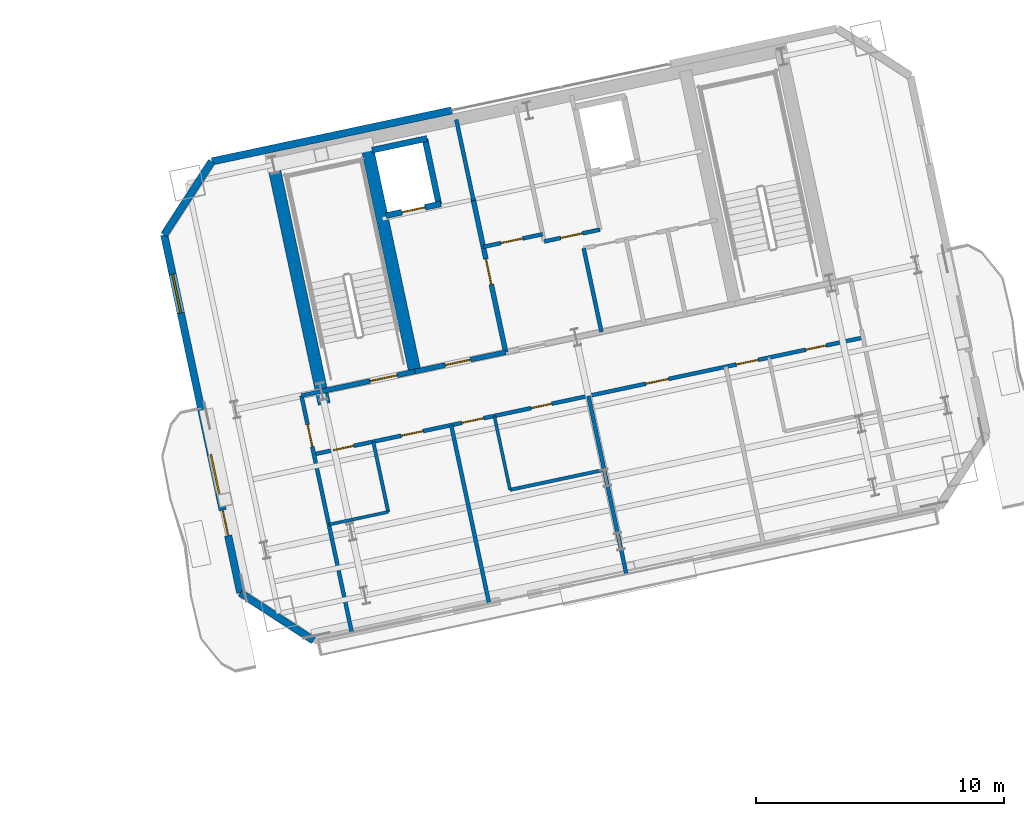
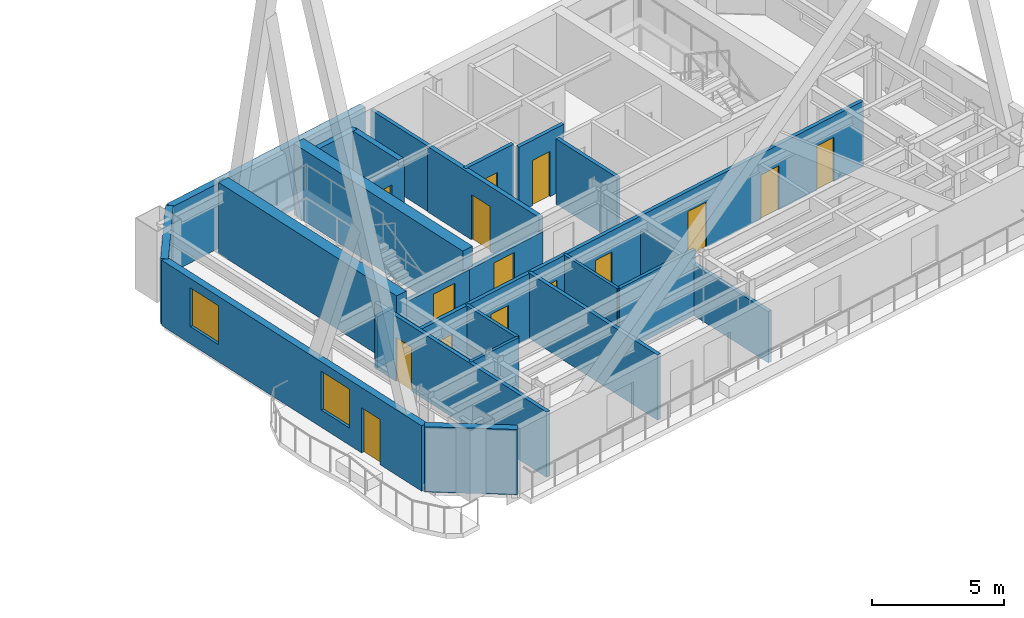
# One storey, part 13 of 20: 25 walls, 15 doors, 2 windows, 17 openings.
"""IFC4 building model written with IfcOpenShell, lengths in metres."""

from ifc_helpers import new_model, si_unit, direction, frame, frame_2d, origin, place, context, subcontext, project, spatial, rectangle, extrude, material, layer, layer_set, type_object, element, fill, save


model = new_model("IFC4")

# Units and contexts
model_context = context("Model", 3, precision=1e-05, world=origin(), true_north=direction((0.0, 1.0)))
body_context = subcontext(model_context, "Body", "Model", "MODEL_VIEW")
ifc_project = project(units=[si_unit("LENGTHUNIT", "METRE"), si_unit("AREAUNIT", "SQUARE_METRE"), si_unit("VOLUMEUNIT", "CUBIC_METRE"), si_unit("PLANEANGLEUNIT", "RADIAN"), si_unit("MASSUNIT", "GRAM", prefix="KILO")], contexts=[model_context])

# Site, building, storey
site_placement = place(None, origin())
site = spatial("IfcSite", under=ifc_project, at=site_placement, CompositionType="ELEMENT")
building_placement = place(site_placement, origin())
building = spatial("IfcBuilding", under=site, at=building_placement, Name="Haevon Station Towers", CompositionType="ELEMENT")
storey_placement = place(building_placement, frame((0.0, 0.0, 175.800048828125)))
storey = spatial("IfcBuildingStorey", under=building, at=storey_placement, Name="L48", CompositionType="ELEMENT", Elevation=175.800048828125)

# Wall, opening, door
ifc_material_1 = material(Name="Gypsum board on steel stud", Category="steel")
ifc_layer_1 = layer(ifc_material_1, 0.199951171875)
ifc_layer_set_1 = layer_set([ifc_layer_1], Name="Gypsum board on steel stud")
wall_type_1 = type_object("IfcWallType", Name="WL-COR200", PredefinedType="PARTITIONING", material=ifc_layer_set_1)
wall_1_placement = place(storey_placement, frame((98.75244140625, 37.4423828125, 0.0), z_axis=(0.0, 0.0, 1.0), x_axis=(0.978143537786, 0.207930804564, 0.0)))
wall_1 = element("IfcWall", 1, at=wall_1_placement, inside=storey, type_object=wall_type_1, Name="WL-ST-ST3-L48", PredefinedType="PARTITIONING", context=body_context, shape_type="SweptSolid", body=[
    extrude(rectangle(XDim=3.85009765625, YDim=0.199951171875, at=frame_2d((1.925048828125, 0.0))), origin(), (0.0, 0.0, 1.0), 2.3798828125),
])
opening_1_placement = place(wall_1_placement, frame((2.0, 0.0, 0.0)))
opening_1 = element("IfcOpeningElement", 2, at=opening_1_placement, cuts=wall_1, Name="Opening DR-ST-ST3-L48", PredefinedType="OPENING", context=body_context, shape_type="SweptSolid", body=[
    extrude(rectangle(XDim=1.1201171875, YDim=2.10009765625, at=frame_2d((0.56005859375, 1.050048828125))), frame((0.0, 0.10986328125, 0.0), z_axis=(0.0, -1.0, 0.0), x_axis=(1.0, 0.0, 0.0)), (0.0, 0.0, 1.0), 0.219970703125),
])
ifc_material_2 = material(Name="Engineered oak timber", Category="wood")
door_type_1 = type_object("IfcDoorType", Name="DR-ST-1120", OperationType="NOTDEFINED", PredefinedType="DOOR", material=ifc_material_2)
door_1_placement = place(opening_1_placement, origin())
door_1 = element("IfcDoor", 3, at=door_1_placement, inside=storey, type_object=door_type_1, Name="L48 Escape Stair ST3 Fire Door", OperationType="SINGLE_SWING_LEFT", OverallHeight=2.10009765625, OverallWidth=1.1201171875, PredefinedType="DOOR", context=body_context, shape_type="SweptSolid", body=[
    extrude(rectangle(XDim=1.1201171875, YDim=2.10009765625, at=frame_2d((0.56005859375, 1.050048828125))), frame((0.0, 0.02490234375, 0.0), z_axis=(0.0, -1.0, 0.0), x_axis=(1.0, 0.0, 0.0)), (0.0, 0.0, 1.0), 0.050048828125),
])
fill(opening_1, door_1)

wall_2_placement = place(storey_placement, frame((106.186279296875, 39.0224609375, 0.0), z_axis=(0.0, 0.0, 1.0), x_axis=(-0.207916691923, 0.978146537703, 0.0)))
wall_2 = element("IfcWall", 4, at=wall_2_placement, inside=storey, type_object=wall_type_1, Name="WL-T2FFL-L48-E", PredefinedType="PARTITIONING", context=body_context, shape_type="SweptSolid", body=[
    extrude(rectangle(XDim=6.35009765625, YDim=0.199951171875, at=frame_2d((3.175048828125, 0.0))), origin(), (0.0, 0.0, 1.0), 3.030029296875),
])
opening_2_placement = place(wall_2_placement, frame((2.800048828125, 0.0, 0.0)))
opening_2 = element("IfcOpeningElement", 5, at=opening_2_placement, cuts=wall_2, Name="Opening DR-T2FFL-L48-E", PredefinedType="OPENING", context=body_context, shape_type="SweptSolid", body=[
    extrude(rectangle(XDim=1.050048828125, YDim=2.10009765625, at=frame_2d((0.52490234375, 1.050048828125))), frame((0.0, 0.10986328125, 0.0), z_axis=(0.0, -1.0, 0.0), x_axis=(1.0, 0.0, 0.0)), (0.0, 0.0, 1.0), 0.219970703125),
])
door_type_2 = type_object("IfcDoorType", Name="DR-FD60-1050", OperationType="NOTDEFINED", PredefinedType="DOOR", material=ifc_material_2)
door_2_placement = place(opening_2_placement, origin())
door_2 = element("IfcDoor", 6, at=door_2_placement, inside=storey, type_object=door_type_2, Name="L48 Tower 2 Firefighting Lift Lobby Door E", OperationType="SINGLE_SWING_LEFT", OverallHeight=2.10009765625, OverallWidth=1.050048828125, PredefinedType="DOOR", context=body_context, shape_type="SweptSolid", body=[
    extrude(rectangle(XDim=1.050048828125, YDim=2.10009765625, at=frame_2d((0.52490234375, 1.050048828125))), frame((0.0, 0.02490234375, 0.0), z_axis=(0.0, -1.0, 0.0), x_axis=(1.0, 0.0, 0.0)), (0.0, 0.0, 1.0), 0.050048828125),
])
fill(opening_2, door_2)

wall_3_placement = place(storey_placement, frame((102.518310546875, 38.242919921875, 0.0), z_axis=(0.0, 0.0, 1.0), x_axis=(0.978153555683, 0.20788367301, 0.0)))
wall_3 = element("IfcWall", 7, at=wall_3_placement, inside=storey, type_object=wall_type_1, Name="WL-T2FFL-L48-S", PredefinedType="PARTITIONING", context=body_context, shape_type="SweptSolid", body=[
    extrude(rectangle(XDim=3.75, YDim=0.199951171875, at=frame_2d((1.875, 0.0))), origin(), (0.0, 0.0, 1.0), 2.3798828125),
])
opening_3_placement = place(wall_3_placement, frame((1.25, 0.0, 0.0)))
opening_3 = element("IfcOpeningElement", 8, at=opening_3_placement, cuts=wall_3, Name="Opening DR-T2FFL-L48-S", PredefinedType="OPENING", context=body_context, shape_type="SweptSolid", body=[
    extrude(rectangle(XDim=1.050048828125, YDim=2.10009765625, at=frame_2d((0.52490234375, 1.050048828125))), frame((0.0, 0.10986328125, 0.0), z_axis=(0.0, -1.0, 0.0), x_axis=(1.0, 0.0, 0.0)), (0.0, 0.0, 1.0), 0.219970703125),
])
door_3_placement = place(opening_3_placement, origin())
door_3 = element("IfcDoor", 9, at=door_3_placement, inside=storey, type_object=door_type_2, Name="L48 Tower 2 Firefighting Lift Lobby Door S", OperationType="SINGLE_SWING_RIGHT", OverallHeight=2.10009765625, OverallWidth=1.050048828125, PredefinedType="DOOR", context=body_context, shape_type="SweptSolid", body=[
    extrude(rectangle(XDim=1.050048828125, YDim=2.10009765625, at=frame_2d((0.52490234375, 1.050048828125))), frame((0.0, 0.02490234375, 0.0), z_axis=(0.0, -1.0, 0.0), x_axis=(1.0, 0.0, 0.0)), (0.0, 0.0, 1.0), 0.050048828125),
])
fill(opening_3, door_3)

# Walls
ifc_material_3 = material(Name="Concrete C60/75", Category="concrete")
ifc_layer_2 = layer(ifc_material_3, 0.5)
ifc_layer_set_2 = layer_set([ifc_layer_2], Name="Concrete C60/75")
wall_type_2 = type_object("IfcWallType", Name="WL-CR500", PredefinedType="SHEAR", material=ifc_layer_set_2)
wall_4_placement = place(storey_placement, frame((98.8603515625, 36.933837890625, 0.0), z_axis=(0.0, 0.0, 1.0), x_axis=(-0.20790924889, 0.978148119778, 0.0)))
element("IfcWall", 10, at=wall_4_placement, inside=storey, type_object=wall_type_2, Name="WL-T2CR-L48-W", PredefinedType="SHEAR", context=body_context, shape_type="SweptSolid", body=[
    extrude(rectangle(XDim=10.119873046875, YDim=0.5, at=frame_2d((5.06005859375, 0.0))), origin(), (0.0, 0.0, 1.0), 3.300048828125),
])
wall_5_placement = place(storey_placement, frame((102.518310546875, 38.242919921875, 0.0), z_axis=(0.0, 0.0, 1.0), x_axis=(-0.207927495108, 0.978144241295, 0.0)))
element("IfcWall", 11, at=wall_5_placement, inside=storey, type_object=wall_type_2, Name="WL-T2CR-L48-M1", PredefinedType="SHEAR", context=body_context, shape_type="SweptSolid", body=[
    extrude(rectangle(XDim=9.599853515625, YDim=0.5, at=frame_2d((4.7998046875, 0.0))), origin(), (0.0, 0.0, 1.0), 3.300048828125),
])
ifc_material_4 = material(Name="Precast concrete C45/55", Category="concrete")
ifc_layer_3 = layer(ifc_material_4, 0.300048828125)
ifc_layer_set_3 = layer_set([ifc_layer_3], Name="Precast concrete C45/55")
wall_type_3 = type_object("IfcWallType", Name="WL-EXT-PIER300", PredefinedType="SOLIDWALL", material=ifc_layer_set_3)
wall_6_placement = place(storey_placement, frame((98.43603515625, 27.386962890625, 0.0), z_axis=(0.0, 0.0, 1.0), x_axis=(-0.838672309694, 0.544636352948, 0.0)))
element("IfcWall", 12, at=wall_6_placement, inside=storey, type_object=wall_type_3, Name="WL-T2-L48-SWC", PredefinedType="SOLIDWALL", context=body_context, shape_type="SweptSolid", body=[
    extrude(rectangle(XDim=3.535400390625, YDim=0.300048828125, at=frame_2d((1.767578125, 0.0))), origin(), (0.0, 0.0, 1.0), 3.030029296875),
])

# Wall, openings, door, windows
wall_7_placement = place(storey_placement, frame((95.470947265625, 29.3125, 0.0), z_axis=(0.0, 0.0, 1.0), x_axis=(-0.207907783045, 0.978148431348, 0.0)))
wall_7 = element("IfcWall", 13, at=wall_7_placement, inside=storey, type_object=wall_type_3, Name="WL-T2-L48-W", PredefinedType="SOLIDWALL", context=body_context, shape_type="SweptSolid", body=[
    extrude(rectangle(XDim=14.77001953125, YDim=0.300048828125, at=frame_2d((7.385009765625, 0.0))), origin(), (0.0, 0.0, 1.0), 3.030029296875),
])
opening_4_placement = place(wall_7_placement, frame((2.360107421875, 0.0, 0.0)))
opening_4 = element("IfcOpeningElement", 14, at=opening_4_placement, cuts=wall_7, Name="Opening DR-T2-SCAL-L48-W", PredefinedType="OPENING", context=body_context, shape_type="SweptSolid", body=[
    extrude(rectangle(XDim=1.050048828125, YDim=2.10009765625, at=frame_2d((0.52490234375, 1.050048828125))), frame((0.0, 0.159912109375, 0.0), z_axis=(0.0, -1.0, 0.0), x_axis=(1.0, 0.0, 0.0)), (0.0, 0.0, 1.0), 0.320068359375),
])
opening_5_placement = place(wall_7_placement, frame((4.105712890625, 0.0, 0.800048828125)))
opening_5 = element("IfcOpeningElement", 15, at=opening_5_placement, cuts=wall_7, Name="Opening WN-END160", PredefinedType="OPENING", context=body_context, shape_type="SweptSolid", body=[
    extrude(rectangle(XDim=1.60009765625, YDim=1.800048828125, at=frame_2d((0.800048828125, 0.89990234375))), frame((0.0, 0.159912109375, 0.0), z_axis=(0.0, -1.0, 0.0), x_axis=(1.0, 0.0, 0.0)), (0.0, 0.0, 1.0), 0.320068359375),
])
opening_6_placement = place(wall_7_placement, frame((11.543701171875, 0.0, 0.800048828125)))
opening_6 = element("IfcOpeningElement", 16, at=opening_6_placement, cuts=wall_7, Name="Opening WN-END160", PredefinedType="OPENING", context=body_context, shape_type="SweptSolid", body=[
    extrude(rectangle(XDim=1.60009765625, YDim=1.800048828125, at=frame_2d((0.800048828125, 0.89990234375))), frame((0.0, 0.159912109375, 0.0), z_axis=(0.0, -1.0, 0.0), x_axis=(1.0, 0.0, 0.0)), (0.0, 0.0, 1.0), 0.320068359375),
])
ifc_material_5 = material(Name="Thermally broken anodised aluminium and laminated safety glass", Category="aluminium")
door_type_3 = type_object("IfcDoorType", Name="DR-BALC-1050", OperationType="NOTDEFINED", PredefinedType="DOOR", material=ifc_material_5)
door_4_placement = place(opening_4_placement, origin())
door_4 = element("IfcDoor", 17, at=door_4_placement, inside=storey, type_object=door_type_3, Name="Tower 2 L48 West Scalloped Balcony Door", OperationType="SINGLE_SWING_LEFT", OverallHeight=2.10009765625, OverallWidth=1.050048828125, PredefinedType="DOOR", context=body_context, shape_type="SweptSolid", body=[
    extrude(rectangle(XDim=1.050048828125, YDim=2.10009765625, at=frame_2d((0.52490234375, 1.050048828125))), frame((0.0, 0.02490234375, 0.0), z_axis=(0.0, -1.0, 0.0), x_axis=(1.0, 0.0, 0.0)), (0.0, 0.0, 1.0), 0.050048828125),
])
fill(opening_4, door_4)
ifc_material_6 = material(Name="Low-E triple glazing in thermally broken aluminium", Category="aluminium")
window_type = type_object("IfcWindowType", Name="WN-END160", PartitioningType="SINGLE_PANEL", PredefinedType="WINDOW", material=ifc_material_6)
window_1_placement = place(opening_5_placement, origin())
window_1 = element("IfcWindow", 18, at=window_1_placement, inside=storey, type_object=window_type, Name="WN-T2-L48-W01", OverallHeight=1.800048828125, OverallWidth=1.60009765625, PartitioningType="SINGLE_PANEL", PredefinedType="WINDOW", context=body_context, shape_type="SweptSolid", body=[
    extrude(rectangle(XDim=1.60009765625, YDim=1.800048828125, at=frame_2d((0.800048828125, 0.89990234375))), frame((0.0, 0.030029296875, 0.0), z_axis=(0.0, -1.0, 0.0), x_axis=(1.0, 0.0, 0.0)), (0.0, 0.0, 1.0), 0.06005859375),
])
fill(opening_5, window_1)
window_2_placement = place(opening_6_placement, origin())
window_2 = element("IfcWindow", 19, at=window_2_placement, inside=storey, type_object=window_type, Name="WN-T2-L48-W02", OverallHeight=1.800048828125, OverallWidth=1.60009765625, PartitioningType="SINGLE_PANEL", PredefinedType="WINDOW", context=body_context, shape_type="SweptSolid", body=[
    extrude(rectangle(XDim=1.60009765625, YDim=1.800048828125, at=frame_2d((0.800048828125, 0.89990234375))), frame((0.0, 0.030029296875, 0.0), z_axis=(0.0, -1.0, 0.0), x_axis=(1.0, 0.0, 0.0)), (0.0, 0.0, 1.0), 0.06005859375),
])
fill(opening_6, window_2)

# Walls
wall_8_placement = place(storey_placement, frame((92.400146484375, 43.759765625, 0.0), z_axis=(0.0, 0.0, 1.0), x_axis=(0.544636352948, 0.838672309694, 0.0)))
element("IfcWall", 20, at=wall_8_placement, inside=storey, type_object=wall_type_3, Name="WL-T2-L48-NWC", PredefinedType="SOLIDWALL", context=body_context, shape_type="SweptSolid", body=[
    extrude(rectangle(XDim=3.535400390625, YDim=0.300048828125, at=frame_2d((1.767578125, 0.0))), origin(), (0.0, 0.0, 1.0), 3.030029296875),
])
wall_9_placement = place(storey_placement, frame((94.32568359375, 46.724853515625, 0.0), z_axis=(0.0, 0.0, 1.0), x_axis=(0.978146815653, 0.207915384297, 0.0)))
element("IfcWall", 21, at=wall_9_placement, inside=storey, type_object=wall_type_3, Name="WL-T2-L48-N1", PredefinedType="SOLIDWALL", context=body_context, shape_type="SweptSolid", body=[
    extrude(rectangle(XDim=9.89990234375, YDim=0.300048828125, at=frame_2d((4.949951171875, 0.0))), origin(), (0.0, 0.0, 1.0), 3.030029296875),
])
ifc_layer_4 = layer(ifc_material_1, 0.125)
ifc_layer_set_4 = layer_set([ifc_layer_4], Name="Gypsum board on steel stud")
wall_type_4 = type_object("IfcWallType", Name="WL-PRT125", PredefinedType="PARTITIONING", material=ifc_layer_set_4)
wall_10_placement = place(storey_placement, frame((99.046630859375, 32.066162109375, 0.0), z_axis=(0.0, 0.0, 1.0), x_axis=(0.978156824814, 0.207868290196, 0.0)))
element("IfcWall", 22, at=wall_10_placement, inside=storey, type_object=wall_type_4, Name="WL-T2PT-L48-05", PredefinedType="PARTITIONING", context=body_context, shape_type="SweptSolid", body=[
    extrude(rectangle(XDim=2.449951171875, YDim=0.125, at=frame_2d((1.22509765625, 0.0))), origin(), (0.0, 0.0, 1.0), 3.030029296875),
])
wall_11_placement = place(storey_placement, frame((106.360107421875, 33.46728515625, 0.0), z_axis=(0.0, 0.0, 1.0), x_axis=(-0.207954487003, 0.978138503145, 0.0)))
element("IfcWall", 23, at=wall_11_placement, inside=storey, type_object=wall_type_4, Name="WL-T2PT-L48-09", PredefinedType="PARTITIONING", context=body_context, shape_type="SweptSolid", body=[
    extrude(rectangle(XDim=3.050048828125, YDim=0.125, at=frame_2d((1.52490234375, 0.0))), origin(), (0.0, 0.0, 1.0), 3.030029296875),
])
ifc_layer_5 = layer(ifc_material_1, 0.139892578125)
ifc_layer_set_5 = layer_set([ifc_layer_5], Name="Gypsum board on steel stud")
wall_type_5 = type_object("IfcWallType", Name="WL-PRT140", PredefinedType="PARTITIONING", material=ifc_layer_set_5)
wall_12_placement = place(storey_placement, frame((101.443115234375, 32.575439453125, 0.0), z_axis=(0.0, 0.0, 1.0), x_axis=(-0.207936282142, 0.978142373363, 0.0)))
element("IfcWall", 24, at=wall_12_placement, inside=storey, type_object=wall_type_5, Name="WL-T2PT-L48-06", PredefinedType="PARTITIONING", context=body_context, shape_type="SweptSolid", body=[
    extrude(rectangle(XDim=2.900146484375, YDim=0.139892578125, at=frame_2d((1.4501953125, 0.0))), origin(), (0.0, 0.0, 1.0), 3.030029296875),
])
wall_13_placement = place(storey_placement, frame((106.360107421875, 33.46728515625, 0.0), z_axis=(0.0, 0.0, 1.0), x_axis=(0.978153260542, 0.207885061733, 0.0)))
element("IfcWall", 25, at=wall_13_placement, inside=storey, type_object=wall_type_5, Name="WL-T2PT-L48-08", PredefinedType="PARTITIONING", context=body_context, shape_type="SweptSolid", body=[
    extrude(rectangle(XDim=3.885009765625, YDim=0.139892578125, at=frame_2d((1.9423828125, 0.0))), origin(), (0.0, 0.0, 1.0), 3.030029296875),
])
ifc_layer_6 = layer(ifc_material_1, 0.159912109375)
ifc_layer_set_6 = layer_set([ifc_layer_6], Name="Gypsum board on steel stud")
wall_type_6 = type_object("IfcWallType", Name="WL-PRT160", PredefinedType="PARTITIONING", material=ifc_layer_set_6)
wall_14_placement = place(storey_placement, frame((104.88671875, 45.135986328125, 0.0), z_axis=(0.0, 0.0, 1.0), x_axis=(-0.207846553267, 0.978161443881, 0.0)))
element("IfcWall", 26, at=wall_14_placement, inside=storey, type_object=wall_type_6, Name="WL-T2CW-L48-01", PredefinedType="PARTITIONING", context=body_context, shape_type="SweptSolid", body=[
    extrude(rectangle(XDim=3.35009765625, YDim=0.159912109375, at=frame_2d((1.675048828125, 0.0))), origin(), (0.0, 0.0, 1.0), 3.030029296875),
])

# Wall, opening, door
wall_15_placement = place(storey_placement, frame((105.28173828125, 43.277587890625, 0.0), z_axis=(0.0, 0.0, 1.0), x_axis=(0.978156824814, 0.207868290196, 0.0)))
wall_15 = element("IfcWall", 27, at=wall_15_placement, inside=storey, type_object=wall_type_6, Name="WL-T2CW-L48-02", PredefinedType="PARTITIONING", context=body_context, shape_type="SweptSolid", body=[
    extrude(rectangle(XDim=2.449951171875, YDim=0.159912109375, at=frame_2d((1.22509765625, 0.0))), origin(), (0.0, 0.0, 1.0), 3.030029296875),
])
opening_7_placement = place(wall_15_placement, frame((0.719970703125, 0.0, 0.0)))
opening_7 = element("IfcOpeningElement", 28, at=opening_7_placement, cuts=wall_15, Name="Opening DR-WL-T2CW-L48-02-1", PredefinedType="OPENING", context=body_context, shape_type="SweptSolid", body=[
    extrude(rectangle(XDim=0.89990234375, YDim=2.10009765625, at=frame_2d((0.449951171875, 1.050048828125))), frame((0.0, 0.08984375, 0.0), z_axis=(0.0, -1.0, 0.0), x_axis=(1.0, 0.0, 0.0)), (0.0, 0.0, 1.0), 0.179931640625),
])
door_type_4 = type_object("IfcDoorType", Name="DR-FD60-900", OperationType="NOTDEFINED", PredefinedType="DOOR", material=ifc_material_2)
door_5_placement = place(opening_7_placement, origin())
door_5 = element("IfcDoor", 29, at=door_5_placement, inside=storey, type_object=door_type_4, Name="L48 Tower 2 Core Room Door 2-1", OperationType="SINGLE_SWING_LEFT", OverallHeight=2.10009765625, OverallWidth=0.89990234375, PredefinedType="DOOR", context=body_context, shape_type="SweptSolid", body=[
    extrude(rectangle(XDim=0.89990234375, YDim=2.10009765625, at=frame_2d((0.449951171875, 1.050048828125))), frame((0.0, 0.02490234375, 0.0), z_axis=(0.0, -1.0, 0.0), x_axis=(1.0, 0.0, 0.0)), (0.0, 0.0, 1.0), 0.050048828125),
])
fill(opening_7, door_5)

wall_16_placement = place(storey_placement, frame((107.74072265625, 43.493408203125, 0.0), z_axis=(0.0, 0.0, 1.0), x_axis=(0.978141312374, 0.207941273027, 0.0)))
wall_16 = element("IfcWall", 30, at=wall_16_placement, inside=storey, type_object=wall_type_6, Name="WL-T2CW-L48-04", PredefinedType="PARTITIONING", context=body_context, shape_type="SweptSolid", body=[
    extrude(rectangle(XDim=2.300048828125, YDim=0.159912109375, at=frame_2d((1.14990234375, 0.0))), origin(), (0.0, 0.0, 1.0), 3.030029296875),
])
opening_8_placement = place(wall_16_placement, frame((0.679931640625, 0.0, 0.0)))
opening_8 = element("IfcOpeningElement", 31, at=opening_8_placement, cuts=wall_16, Name="Opening DR-WL-T2CW-L48-04-1", PredefinedType="OPENING", context=body_context, shape_type="SweptSolid", body=[
    extrude(rectangle(XDim=0.89990234375, YDim=2.10009765625, at=frame_2d((0.449951171875, 1.050048828125))), frame((0.0, 0.08984375, 0.0), z_axis=(0.0, -1.0, 0.0), x_axis=(1.0, 0.0, 0.0)), (0.0, 0.0, 1.0), 0.179931640625),
])
door_6_placement = place(opening_8_placement, origin())
door_6 = element("IfcDoor", 32, at=door_6_placement, inside=storey, type_object=door_type_4, Name="L48 Tower 2 Core Room Door 4-1", OperationType="SINGLE_SWING_RIGHT", OverallHeight=2.10009765625, OverallWidth=0.89990234375, PredefinedType="DOOR", context=body_context, shape_type="SweptSolid", body=[
    extrude(rectangle(XDim=0.89990234375, YDim=2.10009765625, at=frame_2d((0.449951171875, 1.050048828125))), frame((0.0, 0.02490234375, 0.0), z_axis=(0.0, -1.0, 0.0), x_axis=(1.0, 0.0, 0.0)), (0.0, 0.0, 1.0), 0.050048828125),
])
fill(opening_8, door_6)

# Walls
wall_17_placement = place(storey_placement, frame((110.050048828125, 39.84375, 0.0), z_axis=(0.0, 0.0, 1.0), x_axis=(-0.207900225061, 0.978150037785, 0.0)))
element("IfcWall", 33, at=wall_17_placement, inside=storey, type_object=wall_type_6, Name="WL-T2CW-L48-07", PredefinedType="PARTITIONING", context=body_context, shape_type="SweptSolid", body=[
    extrude(rectangle(XDim=3.4501953125, YDim=0.159912109375, at=frame_2d((1.72509765625, 0.0))), origin(), (0.0, 0.0, 1.0), 3.030029296875),
])
wall_18_placement = place(storey_placement, frame((97.9404296875, 37.269775390625, 0.0), z_axis=(0.0, 0.0, 1.0), x_axis=(0.978145395179, 0.207922066865, 0.0)))
element("IfcWall", 34, at=wall_18_placement, inside=storey, type_object=wall_type_6, Name="WL-T2PT-L48-01", PredefinedType="PARTITIONING", context=body_context, shape_type="SweptSolid", body=[
    extrude(rectangle(XDim=0.830078125, YDim=0.159912109375, at=frame_2d((0.4150390625, 0.0))), origin(), (0.0, 0.0, 1.0), 2.3798828125),
])

# Wall, opening, door
wall_19_placement = place(storey_placement, frame((99.9716796875, 27.71337890625, 0.0), z_axis=(0.0, 0.0, 1.0), x_axis=(-0.207909264222, 0.97814811652, 0.0)))
wall_19 = element("IfcWall", 35, at=wall_19_placement, inside=storey, type_object=wall_type_6, Name="WL-T2PT-L48-03", PredefinedType="PARTITIONING", context=body_context, shape_type="SweptSolid", body=[
    extrude(rectangle(XDim=9.769775390625, YDim=0.159912109375, at=frame_2d((4.884765625, 0.0))), origin(), (0.0, 0.0, 1.0), 3.030029296875),
])
opening_9_placement = place(wall_19_placement, frame((7.669921875, 0.0, 0.0)))
opening_9 = element("IfcOpeningElement", 36, at=opening_9_placement, cuts=wall_19, Name="Opening DR-WL-T2PT-L48-03-01", PredefinedType="OPENING", context=body_context, shape_type="SweptSolid", body=[
    extrude(rectangle(XDim=0.89990234375, YDim=2.050048828125, at=frame_2d((0.449951171875, 1.02490234375))), frame((0.0, 0.08984375, 0.0), z_axis=(0.0, -1.0, 0.0), x_axis=(1.0, 0.0, 0.0)), (0.0, 0.0, 1.0), 0.179931640625),
])
door_type_5 = type_object("IfcDoorType", Name="DR-INT-900", OperationType="NOTDEFINED", PredefinedType="DOOR", material=ifc_material_2)
door_7_placement = place(opening_9_placement, origin())
door_7 = element("IfcDoor", 37, at=door_7_placement, inside=storey, type_object=door_type_5, Name="L48 Tower 2 Room Door 3-1", OperationType="SINGLE_SWING_RIGHT", OverallHeight=2.050048828125, OverallWidth=0.89990234375, PredefinedType="DOOR", context=body_context, shape_type="SweptSolid", body=[
    extrude(rectangle(XDim=0.89990234375, YDim=2.050048828125, at=frame_2d((0.449951171875, 1.02490234375))), frame((0.0, 0.02490234375, 0.0), z_axis=(0.0, -1.0, 0.0), x_axis=(1.0, 0.0, 0.0)), (0.0, 0.0, 1.0), 0.050048828125),
])
fill(opening_9, door_7)

# Walls
wall_20_placement = place(storey_placement, frame((105.512939453125, 28.89111328125, 0.0), z_axis=(0.0, 0.0, 1.0), x_axis=(-0.207900071021, 0.978150070526, 0.0)))
element("IfcWall", 38, at=wall_20_placement, inside=storey, type_object=wall_type_6, Name="WL-T2PT-L48-07", PredefinedType="PARTITIONING", context=body_context, shape_type="SweptSolid", body=[
    extrude(rectangle(XDim=7.35009765625, YDim=0.159912109375, at=frame_2d((3.675048828125, 0.0))), origin(), (0.0, 0.0, 1.0), 3.030029296875),
])
wall_21_placement = place(storey_placement, frame((111.05419921875, 30.069091796875, 0.0), z_axis=(0.0, 0.0, 1.0), x_axis=(-0.207906825994, 0.978148634771, 0.0)))
element("IfcWall", 39, at=wall_21_placement, inside=storey, type_object=wall_type_6, Name="WL-T2PT-L48-10", PredefinedType="PARTITIONING", context=body_context, shape_type="SweptSolid", body=[
    extrude(rectangle(XDim=7.349853515625, YDim=0.159912109375, at=frame_2d((3.6748046875, 0.0))), origin(), (0.0, 0.0, 1.0), 2.3798828125),
])

# Wall, openings, doors
wall_22_placement = place(storey_placement, frame((98.443603515625, 34.90283203125, 0.0), z_axis=(0.0, 0.0, 1.0), x_axis=(0.978148417056, 0.207907850286, 0.0)))
wall_22 = element("IfcWall", 40, at=wall_22_placement, inside=storey, type_object=wall_type_6, Name="WL-T2PT-L48-14", PredefinedType="PARTITIONING", context=body_context, shape_type="SweptSolid", body=[
    extrude(rectangle(XDim=22.659912109375, YDim=0.159912109375, at=frame_2d((11.330078125, 0.0))), origin(), (0.0, 0.0, 1.0), 3.030029296875),
])
opening_10_placement = place(wall_22_placement, frame((0.800048828125, 0.0, 0.0)))
opening_10 = element("IfcOpeningElement", 41, at=opening_10_placement, cuts=wall_22, Name="Opening DR-WL-T2PT-L48-14-01", PredefinedType="OPENING", context=body_context, shape_type="SweptSolid", body=[
    extrude(rectangle(XDim=0.85009765625, YDim=2.050048828125, at=frame_2d((0.425048828125, 1.02490234375))), frame((0.0, 0.08984375, 0.0), z_axis=(0.0, -1.0, 0.0), x_axis=(1.0, 0.0, 0.0)), (0.0, 0.0, 1.0), 0.179931640625),
])
opening_11_placement = place(wall_22_placement, frame((3.60693359375, 0.0, 0.0)))
opening_11 = element("IfcOpeningElement", 42, at=opening_11_placement, cuts=wall_22, Name="Opening DR-WL-T2PT-L48-14-02", PredefinedType="OPENING", context=body_context, shape_type="SweptSolid", body=[
    extrude(rectangle(XDim=0.89990234375, YDim=2.050048828125, at=frame_2d((0.449951171875, 1.02490234375))), frame((0.0, 0.08984375, 0.0), z_axis=(0.0, -1.0, 0.0), x_axis=(1.0, 0.0, 0.0)), (0.0, 0.0, 1.0), 0.179931640625),
])
opening_12_placement = place(wall_22_placement, frame((8.9619140625, 0.0, 0.0)))
opening_12 = element("IfcOpeningElement", 43, at=opening_12_placement, cuts=wall_22, Name="Opening DR-WL-T2PT-L48-14-03", PredefinedType="OPENING", context=body_context, shape_type="SweptSolid", body=[
    extrude(rectangle(XDim=0.85009765625, YDim=2.050048828125, at=frame_2d((0.425048828125, 1.02490234375))), frame((0.0, 0.08984375, 0.0), z_axis=(0.0, -1.0, 0.0), x_axis=(1.0, 0.0, 0.0)), (0.0, 0.0, 1.0), 0.179931640625),
])
opening_13_placement = place(wall_22_placement, frame((6.10498046875, 0.0, 0.0)))
opening_13 = element("IfcOpeningElement", 44, at=opening_13_placement, cuts=wall_22, Name="Opening DR-WL-T2PT-L48-14-04", PredefinedType="OPENING", context=body_context, shape_type="SweptSolid", body=[
    extrude(rectangle(XDim=0.89990234375, YDim=2.050048828125, at=frame_2d((0.449951171875, 1.02490234375))), frame((0.0, 0.08984375, 0.0), z_axis=(0.0, -1.0, 0.0), x_axis=(1.0, 0.0, 0.0)), (0.0, 0.0, 1.0), 0.179931640625),
])
opening_14_placement = place(wall_22_placement, frame((13.68701171875, 0.0, 0.0)))
opening_14 = element("IfcOpeningElement", 45, at=opening_14_placement, cuts=wall_22, Name="Opening DR-WL-T2PT-L48-14-05", PredefinedType="OPENING", context=body_context, shape_type="SweptSolid", body=[
    extrude(rectangle(XDim=0.949951171875, YDim=2.10009765625, at=frame_2d((0.47509765625, 1.050048828125))), frame((0.0, 0.08984375, 0.0), z_axis=(0.0, -1.0, 0.0), x_axis=(1.0, 0.0, 0.0)), (0.0, 0.0, 1.0), 0.179931640625),
])
opening_15_placement = place(wall_22_placement, frame((20.29296875, 0.0, 0.0)))
opening_15 = element("IfcOpeningElement", 46, at=opening_15_placement, cuts=wall_22, Name="Opening DR-WL-T2PT-L48-14-06", PredefinedType="OPENING", context=body_context, shape_type="SweptSolid", body=[
    extrude(rectangle(XDim=0.85009765625, YDim=2.050048828125, at=frame_2d((0.425048828125, 1.02490234375))), frame((0.0, 0.08984375, 0.0), z_axis=(0.0, -1.0, 0.0), x_axis=(1.0, 0.0, 0.0)), (0.0, 0.0, 1.0), 0.179931640625),
])
opening_16_placement = place(wall_22_placement, frame((17.43505859375, 0.0, 0.0)))
opening_16 = element("IfcOpeningElement", 47, at=opening_16_placement, cuts=wall_22, Name="Opening DR-WL-T2PT-L48-14-07", PredefinedType="OPENING", context=body_context, shape_type="SweptSolid", body=[
    extrude(rectangle(XDim=0.89990234375, YDim=2.050048828125, at=frame_2d((0.449951171875, 1.02490234375))), frame((0.0, 0.08984375, 0.0), z_axis=(0.0, -1.0, 0.0), x_axis=(1.0, 0.0, 0.0)), (0.0, 0.0, 1.0), 0.179931640625),
])
door_type_6 = type_object("IfcDoorType", Name="DR-FD30-850", OperationType="NOTDEFINED", PredefinedType="DOOR", material=ifc_material_2)
door_8_placement = place(opening_10_placement, origin())
door_8 = element("IfcDoor", 48, at=door_8_placement, inside=storey, type_object=door_type_6, Name="L48 Tower 2 Room Door 14-1", OperationType="SINGLE_SWING_RIGHT", OverallHeight=2.050048828125, OverallWidth=0.85009765625, PredefinedType="DOOR", context=body_context, shape_type="SweptSolid", body=[
    extrude(rectangle(XDim=0.85009765625, YDim=2.050048828125, at=frame_2d((0.425048828125, 1.02490234375))), frame((0.0, 0.02490234375, 0.0), z_axis=(0.0, -1.0, 0.0), x_axis=(1.0, 0.0, 0.0)), (0.0, 0.0, 1.0), 0.050048828125),
])
fill(opening_10, door_8)
door_9_placement = place(opening_12_placement, origin())
door_9 = element("IfcDoor", 49, at=door_9_placement, inside=storey, type_object=door_type_6, Name="L48 Tower 2 Room Door 14-3", OperationType="SINGLE_SWING_RIGHT", OverallHeight=2.050048828125, OverallWidth=0.85009765625, PredefinedType="DOOR", context=body_context, shape_type="SweptSolid", body=[
    extrude(rectangle(XDim=0.85009765625, YDim=2.050048828125, at=frame_2d((0.425048828125, 1.02490234375))), frame((0.0, 0.02490234375, 0.0), z_axis=(0.0, -1.0, 0.0), x_axis=(1.0, 0.0, 0.0)), (0.0, 0.0, 1.0), 0.050048828125),
])
fill(opening_12, door_9)
door_10_placement = place(opening_15_placement, origin())
door_10 = element("IfcDoor", 50, at=door_10_placement, inside=storey, type_object=door_type_6, Name="L48 Tower 2 Room Door 14-6", OperationType="SINGLE_SWING_LEFT", OverallHeight=2.050048828125, OverallWidth=0.85009765625, PredefinedType="DOOR", context=body_context, shape_type="SweptSolid", body=[
    extrude(rectangle(XDim=0.85009765625, YDim=2.050048828125, at=frame_2d((0.425048828125, 1.02490234375))), frame((0.0, 0.02490234375, 0.0), z_axis=(0.0, -1.0, 0.0), x_axis=(1.0, 0.0, 0.0)), (0.0, 0.0, 1.0), 0.050048828125),
])
fill(opening_15, door_10)
door_type_7 = type_object("IfcDoorType", Name="DR-FD30-950", OperationType="NOTDEFINED", PredefinedType="DOOR", material=ifc_material_2)
door_11_placement = place(opening_14_placement, origin())
door_11 = element("IfcDoor", 51, at=door_11_placement, inside=storey, type_object=door_type_7, Name="L48 Tower 2 Room Door 14-5", OperationType="SINGLE_SWING_RIGHT", OverallHeight=2.10009765625, OverallWidth=0.949951171875, PredefinedType="DOOR", context=body_context, shape_type="SweptSolid", body=[
    extrude(rectangle(XDim=0.949951171875, YDim=2.10009765625, at=frame_2d((0.47509765625, 1.050048828125))), frame((0.0, 0.02490234375, 0.0), z_axis=(0.0, -1.0, 0.0), x_axis=(1.0, 0.0, 0.0)), (0.0, 0.0, 1.0), 0.050048828125),
])
fill(opening_14, door_11)
door_12_placement = place(opening_11_placement, origin())
door_12 = element("IfcDoor", 52, at=door_12_placement, inside=storey, type_object=door_type_5, Name="L48 Tower 2 Room Door 14-2", OperationType="SINGLE_SWING_LEFT", OverallHeight=2.050048828125, OverallWidth=0.89990234375, PredefinedType="DOOR", context=body_context, shape_type="SweptSolid", body=[
    extrude(rectangle(XDim=0.89990234375, YDim=2.050048828125, at=frame_2d((0.449951171875, 1.02490234375))), frame((0.0, 0.02490234375, 0.0), z_axis=(0.0, -1.0, 0.0), x_axis=(1.0, 0.0, 0.0)), (0.0, 0.0, 1.0), 0.050048828125),
])
fill(opening_11, door_12)
door_13_placement = place(opening_13_placement, origin())
door_13 = element("IfcDoor", 53, at=door_13_placement, inside=storey, type_object=door_type_5, Name="L48 Tower 2 Room Door 14-4", OperationType="SINGLE_SWING_LEFT", OverallHeight=2.050048828125, OverallWidth=0.89990234375, PredefinedType="DOOR", context=body_context, shape_type="SweptSolid", body=[
    extrude(rectangle(XDim=0.89990234375, YDim=2.050048828125, at=frame_2d((0.449951171875, 1.02490234375))), frame((0.0, 0.02490234375, 0.0), z_axis=(0.0, -1.0, 0.0), x_axis=(1.0, 0.0, 0.0)), (0.0, 0.0, 1.0), 0.050048828125),
])
fill(opening_13, door_13)
door_14_placement = place(opening_16_placement, origin())
door_14 = element("IfcDoor", 54, at=door_14_placement, inside=storey, type_object=door_type_5, Name="L48 Tower 2 Room Door 14-7", OperationType="SINGLE_SWING_RIGHT", OverallHeight=2.050048828125, OverallWidth=0.89990234375, PredefinedType="DOOR", context=body_context, shape_type="SweptSolid", body=[
    extrude(rectangle(XDim=0.89990234375, YDim=2.050048828125, at=frame_2d((0.449951171875, 1.02490234375))), frame((0.0, 0.02490234375, 0.0), z_axis=(0.0, -1.0, 0.0), x_axis=(1.0, 0.0, 0.0)), (0.0, 0.0, 1.0), 0.050048828125),
])
fill(opening_16, door_14)

# Wall, opening, door
ifc_material_7 = material(Name="Concrete C40/50", Category="concrete")
ifc_layer_7 = layer(ifc_material_7, 0.239990234375)
ifc_layer_set_7 = layer_set([ifc_layer_7], Name="Concrete C40/50")
wall_type_7 = type_object("IfcWallType", Name="WL-SHF240", PredefinedType="PARTITIONING", material=ifc_layer_set_7)
wall_23_placement = place(storey_placement, frame((101.353759765625, 44.538330078125, 0.0), z_axis=(0.0, 0.0, 1.0), x_axis=(0.978141002414, 0.207942731049, 0.0)))
wall_23 = element("IfcWall", 55, at=wall_23_placement, inside=storey, type_object=wall_type_7, Name="WL-SHF-FL2-L48", PredefinedType="PARTITIONING", context=body_context, shape_type="SweptSolid", body=[
    extrude(rectangle(XDim=2.260009765625, YDim=0.239990234375, at=frame_2d((1.1298828125, 0.0))), origin(), (0.0, 0.0, 1.0), 2.72998046875),
])
opening_17_placement = place(wall_23_placement, frame((0.655029296875, 0.0, 0.0)))
opening_17 = element("IfcOpeningElement", 56, at=opening_17_placement, cuts=wall_23, Name="Opening LD-FL2-L48", PredefinedType="OPENING", context=body_context, shape_type="SweptSolid", body=[
    extrude(rectangle(XDim=0.949951171875, YDim=2.14990234375, at=frame_2d((0.47509765625, 1.074951171875))), frame((0.0, 0.1298828125, 0.0), z_axis=(0.0, -1.0, 0.0), x_axis=(1.0, 0.0, 0.0)), (0.0, 0.0, 1.0), 0.260009765625),
])
ifc_material_8 = material(Name="Stainless steel and rated core", Category="steel")
door_type_8 = type_object("IfcDoorType", Name="LD-FL950", OperationType="SLIDING_TO_LEFT", PredefinedType="DOOR", material=ifc_material_8)
door_15_placement = place(opening_17_placement, origin())
door_15 = element("IfcDoor", 57, at=door_15_placement, inside=storey, type_object=door_type_8, Name="L48 Lift FL2 Sliding Landing Door", OperationType="SLIDING_TO_LEFT", OverallHeight=2.14990234375, OverallWidth=0.949951171875, PredefinedType="DOOR", context=body_context, shape_type="SweptSolid", body=[
    extrude(rectangle(XDim=0.949951171875, YDim=2.14990234375, at=frame_2d((0.47509765625, 1.074951171875))), frame((0.0, 0.02490234375, 0.0), z_axis=(0.0, -1.0, 0.0), x_axis=(1.0, 0.0, 0.0)), (0.0, 0.0, 1.0), 0.050048828125),
])
fill(opening_17, door_15)

# Walls
wall_24_placement = place(storey_placement, frame((100.79248046875, 47.179443359375, 0.0), z_axis=(0.0, 0.0, 1.0), x_axis=(0.978162968872, 0.207839376268, 0.0)))
element("IfcWall", 58, at=wall_24_placement, inside=storey, type_object=wall_type_7, Name="WL-SHF-FL2-L48-N", PredefinedType="PARTITIONING", context=body_context, shape_type="SweptSolid", body=[
    extrude(rectangle(XDim=2.260009765625, YDim=0.239990234375, at=frame_2d((1.1298828125, 0.0))), origin(), (0.0, 0.0, 1.0), 3.030029296875),
])
wall_25_placement = place(storey_placement, frame((103.486328125, 44.99169921875, 0.0), z_axis=(0.0, 0.0, 1.0), x_axis=(-0.207978798957, 0.978133334052, 0.0)))
element("IfcWall", 59, at=wall_25_placement, inside=storey, type_object=wall_type_7, Name="WL-SHF-FL2-L48-E", PredefinedType="PARTITIONING", context=body_context, shape_type="SweptSolid", body=[
    extrude(rectangle(XDim=2.699951171875, YDim=0.239990234375, at=frame_2d((1.35009765625, 0.0))), origin(), (0.0, 0.0, 1.0), 3.030029296875),
])

save(model, "model.ifc")
